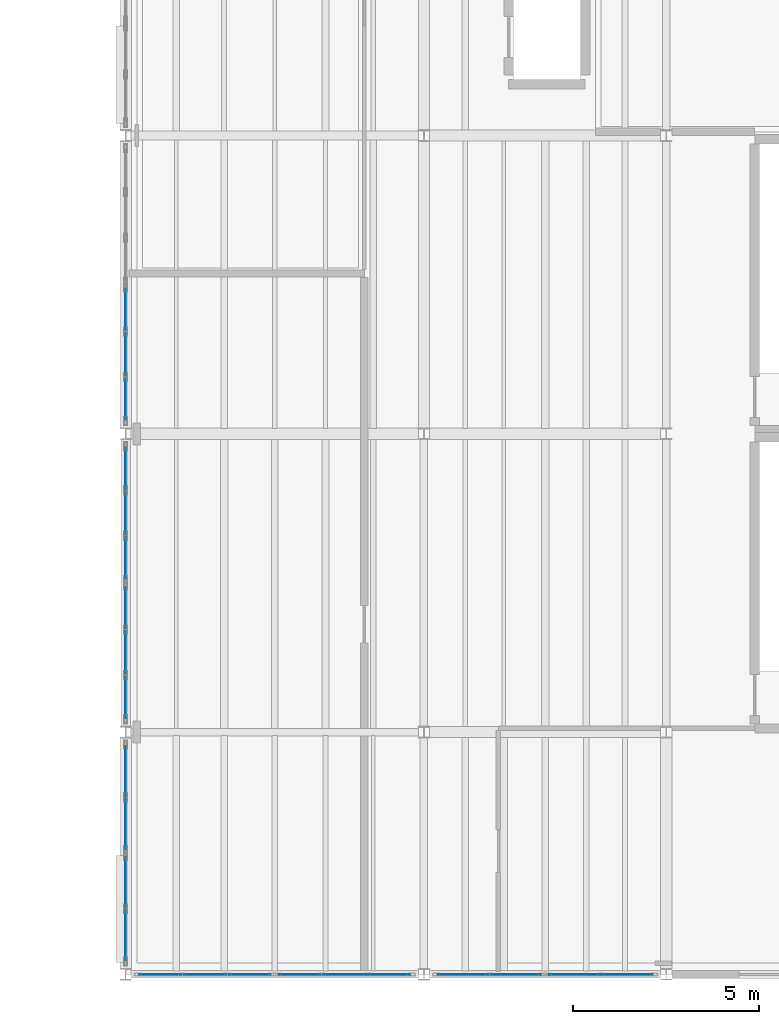
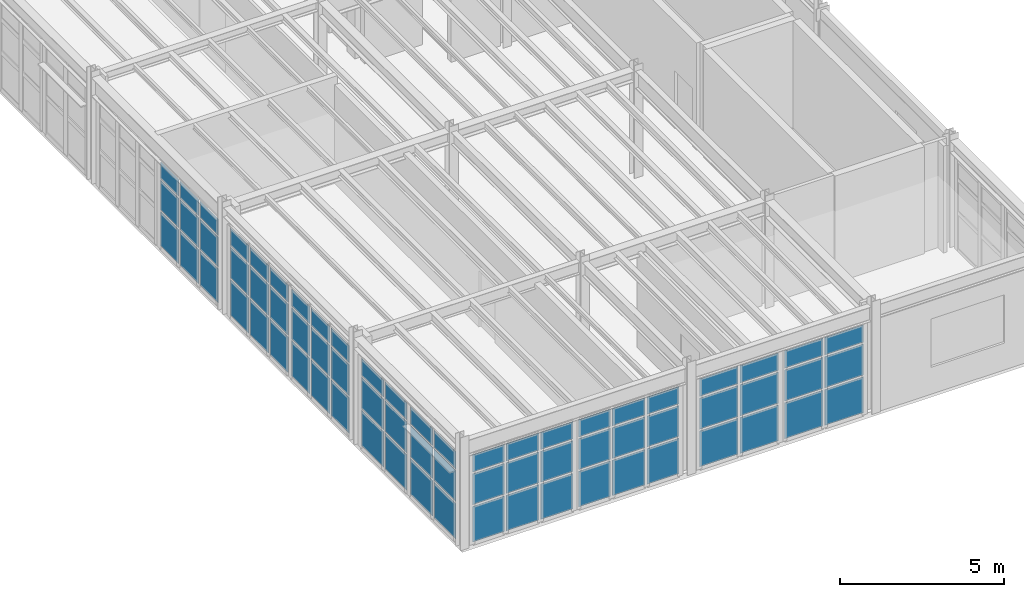
# One storey, part 19 of 27: 69 plates, 9 elements without a shape of their own.
"""IFC4 building model written with IfcOpenShell, lengths in metres."""

from ifc_helpers import new_model, si_unit, direction, frame, origin, origin_2d, place, context, subcontext, project, spatial, rectangle, extrude, material, layer, layer_set, type_object, element, aggregate, save


model = new_model("IFC4")

# Units and contexts
model_context = context("Model", 3, precision=1e-05, world=origin(), true_north=direction((0.0, 1.0)))
body_context = subcontext(model_context, "Body", "Model", "MODEL_VIEW")
ifc_project = project(units=[si_unit("LENGTHUNIT", "METRE"), si_unit("AREAUNIT", "SQUARE_METRE"), si_unit("VOLUMEUNIT", "CUBIC_METRE"), si_unit("PLANEANGLEUNIT", "RADIAN"), si_unit("MASSUNIT", "GRAM", prefix="KILO"), si_unit("THERMODYNAMICTEMPERATUREUNIT", "KELVIN"), si_unit("POWERUNIT", "WATT")], contexts=[model_context])

# Site, building, storey
site_placement = place(None, origin())
site = spatial("IfcSite", under=ifc_project, at=site_placement, CompositionType="ELEMENT")
building_placement = place(site_placement, origin())
building = spatial("IfcBuilding", under=site, at=building_placement, Name="Zhenchuan Central Fire Station", CompositionType="ELEMENT")
storey_placement = place(building_placement, frame((0.0, 0.0, 14.25)))
storey = spatial("IfcBuildingStorey", under=building, at=storey_placement, Name="L04", CompositionType="ELEMENT", Elevation=14.25)

# Curtain wall, plates
ifc_material_1 = material(Name="Anodised aluminium and low-E glazing", Category="aluminium")
curtain_wall_type_1 = type_object("IfcCurtainWallType", Name="CW-MOD-07", PredefinedType="USERDEFINED", material=ifc_material_1)
curtain_wall_1_placement = place(storey_placement, origin())
curtain_wall_1 = element("IfcCurtainWall", 1, at=curtain_wall_1_placement, inside=storey, type_object=curtain_wall_type_1, Name="L04 Unitised Curtain Wall 122", ObjectType="UNITISED GLAZING", PredefinedType="USERDEFINED")
ifc_material_2 = material(Name="Laminated low-E double glazing", Category="glass")
ifc_layer = layer(ifc_material_2, 0.011962890625, Name="Laminated low-E double glazing", Category="glass")
ifc_layer_set = layer_set([ifc_layer], Name="Laminated low-E double glazing")
plate_type = type_object("IfcPlateType", Name="CW-PNL12", PredefinedType="CURTAIN_PANEL", material=ifc_layer_set)
plate_1_placement = place(storey_placement, frame((140.926513671875, 0.0, 0.06103515625), z_axis=(0.0, 0.0, 1.0), x_axis=(1.0, 0.0, 0.0)))
plate_1 = element("IfcPlate", 2, at=plate_1_placement, type_object=plate_type, Name="CW-07 panel 1.1", PredefinedType="CURTAIN_PANEL", context=body_context, shape_type="SweptSolid", body=[
    extrude(rectangle(XDim=1.123046875, YDim=0.011962890625, at=origin_2d()), origin(), (0.0, 0.0, 1.0), 1.323486328125),
])
plate_2_placement = place(storey_placement, frame((140.926513671875, 0.0, 1.44970703125), z_axis=(0.0, 0.0, 1.0), x_axis=(1.0, 0.0, 0.0)))
plate_2 = element("IfcPlate", 3, at=plate_2_placement, type_object=plate_type, Name="CW-07 panel 1.2", PredefinedType="CURTAIN_PANEL", context=body_context, shape_type="SweptSolid", body=[
    extrude(rectangle(XDim=1.123046875, YDim=0.011962890625, at=origin_2d()), origin(), (0.0, 0.0, 1.0), 1.149658203125),
])
plate_3_placement = place(storey_placement, frame((140.926513671875, 0.0, 2.6640625), z_axis=(0.0, 0.0, 1.0), x_axis=(1.0, 0.0, 0.0)))
plate_3 = element("IfcPlate", 4, at=plate_3_placement, type_object=plate_type, Name="CW-07 panel 1.3", PredefinedType="CURTAIN_PANEL", context=body_context, shape_type="SweptSolid", body=[
    extrude(rectangle(XDim=1.123046875, YDim=0.011962890625, at=origin_2d()), origin(), (0.0, 0.0, 1.0), 0.644775390625),
])
plate_4_placement = place(storey_placement, frame((142.131103515625, 0.0, 0.06103515625), z_axis=(0.0, 0.0, 1.0), x_axis=(1.0, 0.0, 0.0)))
plate_4 = element("IfcPlate", 5, at=plate_4_placement, type_object=plate_type, Name="CW-07 panel 2.1", PredefinedType="CURTAIN_PANEL", context=body_context, shape_type="SweptSolid", body=[
    extrude(rectangle(XDim=1.15576171875, YDim=0.011962890625, at=origin_2d()), origin(), (0.0, 0.0, 1.0), 1.323486328125),
])
plate_5_placement = place(storey_placement, frame((142.131103515625, 0.0, 1.44970703125), z_axis=(0.0, 0.0, 1.0), x_axis=(1.0, 0.0, 0.0)))
plate_5 = element("IfcPlate", 6, at=plate_5_placement, type_object=plate_type, Name="CW-07 panel 2.2", PredefinedType="CURTAIN_PANEL", context=body_context, shape_type="SweptSolid", body=[
    extrude(rectangle(XDim=1.15576171875, YDim=0.011962890625, at=origin_2d()), origin(), (0.0, 0.0, 1.0), 1.149658203125),
])
plate_6_placement = place(storey_placement, frame((142.131103515625, 0.0, 2.6640625), z_axis=(0.0, 0.0, 1.0), x_axis=(1.0, 0.0, 0.0)))
plate_6 = element("IfcPlate", 7, at=plate_6_placement, type_object=plate_type, Name="CW-07 panel 2.3", PredefinedType="CURTAIN_PANEL", context=body_context, shape_type="SweptSolid", body=[
    extrude(rectangle(XDim=1.15576171875, YDim=0.011962890625, at=origin_2d()), origin(), (0.0, 0.0, 1.0), 0.644775390625),
])
plate_7_placement = place(storey_placement, frame((143.33544921875, 0.0, 0.06103515625), z_axis=(0.0, 0.0, 1.0), x_axis=(1.0, 0.0, 0.0)))
plate_7 = element("IfcPlate", 8, at=plate_7_placement, type_object=plate_type, Name="CW-07 panel 3.1", PredefinedType="CURTAIN_PANEL", context=body_context, shape_type="SweptSolid", body=[
    extrude(rectangle(XDim=1.123046875, YDim=0.011962890625, at=origin_2d()), origin(), (0.0, 0.0, 1.0), 1.323486328125),
])
plate_8_placement = place(storey_placement, frame((143.33544921875, 0.0, 1.44970703125), z_axis=(0.0, 0.0, 1.0), x_axis=(1.0, 0.0, 0.0)))
plate_8 = element("IfcPlate", 9, at=plate_8_placement, type_object=plate_type, Name="CW-07 panel 3.2", PredefinedType="CURTAIN_PANEL", context=body_context, shape_type="SweptSolid", body=[
    extrude(rectangle(XDim=1.123046875, YDim=0.011962890625, at=origin_2d()), origin(), (0.0, 0.0, 1.0), 1.149658203125),
])
plate_9_placement = place(storey_placement, frame((143.33544921875, 0.0, 2.6640625), z_axis=(0.0, 0.0, 1.0), x_axis=(1.0, 0.0, 0.0)))
plate_9 = element("IfcPlate", 10, at=plate_9_placement, type_object=plate_type, Name="CW-07 panel 3.3", PredefinedType="CURTAIN_PANEL", context=body_context, shape_type="SweptSolid", body=[
    extrude(rectangle(XDim=1.123046875, YDim=0.011962890625, at=origin_2d()), origin(), (0.0, 0.0, 1.0), 0.644775390625),
])
aggregate(curtain_wall_1, [plate_1, plate_2, plate_3, plate_4, plate_5, plate_6, plate_7, plate_8, plate_9])

curtain_wall_type_2 = type_object("IfcCurtainWallType", Name="CW-MOD-08", PredefinedType="USERDEFINED", material=ifc_material_1)
curtain_wall_2_placement = place(storey_placement, origin())
curtain_wall_2 = element("IfcCurtainWall", 11, at=curtain_wall_2_placement, inside=storey, type_object=curtain_wall_type_2, Name="L04 Unitised Curtain Wall 123", ObjectType="UNITISED GLAZING", PredefinedType="USERDEFINED")
plate_10_placement = place(storey_placement, frame((144.66455078125, 0.0, 0.06103515625), z_axis=(0.0, 0.0, 1.0), x_axis=(1.0, 0.0, 0.0)))
plate_10 = element("IfcPlate", 12, at=plate_10_placement, type_object=plate_type, Name="CW-08 panel 1.1", PredefinedType="CURTAIN_PANEL", context=body_context, shape_type="SweptSolid", body=[
    extrude(rectangle(XDim=1.123046875, YDim=0.011962890625, at=origin_2d()), origin(), (0.0, 0.0, 1.0), 1.323486328125),
])
plate_11_placement = place(storey_placement, frame((144.66455078125, 0.0, 1.44970703125), z_axis=(0.0, 0.0, 1.0), x_axis=(1.0, 0.0, 0.0)))
plate_11 = element("IfcPlate", 13, at=plate_11_placement, type_object=plate_type, Name="CW-08 panel 1.2", PredefinedType="CURTAIN_PANEL", context=body_context, shape_type="SweptSolid", body=[
    extrude(rectangle(XDim=1.123046875, YDim=0.011962890625, at=origin_2d()), origin(), (0.0, 0.0, 1.0), 1.149658203125),
])
plate_12_placement = place(storey_placement, frame((144.66455078125, 0.0, 2.6640625), z_axis=(0.0, 0.0, 1.0), x_axis=(1.0, 0.0, 0.0)))
plate_12 = element("IfcPlate", 14, at=plate_12_placement, type_object=plate_type, Name="CW-08 panel 1.3", PredefinedType="CURTAIN_PANEL", context=body_context, shape_type="SweptSolid", body=[
    extrude(rectangle(XDim=1.123046875, YDim=0.011962890625, at=origin_2d()), origin(), (0.0, 0.0, 1.0), 0.644775390625),
])
plate_13_placement = place(storey_placement, frame((145.868896484375, 0.0, 0.06103515625), z_axis=(0.0, 0.0, 1.0), x_axis=(1.0, 0.0, 0.0)))
plate_13 = element("IfcPlate", 15, at=plate_13_placement, type_object=plate_type, Name="CW-08 panel 2.1", PredefinedType="CURTAIN_PANEL", context=body_context, shape_type="SweptSolid", body=[
    extrude(rectangle(XDim=1.15576171875, YDim=0.011962890625, at=origin_2d()), origin(), (0.0, 0.0, 1.0), 1.323486328125),
])
plate_14_placement = place(storey_placement, frame((145.868896484375, 0.0, 1.44970703125), z_axis=(0.0, 0.0, 1.0), x_axis=(1.0, 0.0, 0.0)))
plate_14 = element("IfcPlate", 16, at=plate_14_placement, type_object=plate_type, Name="CW-08 panel 2.2", PredefinedType="CURTAIN_PANEL", context=body_context, shape_type="SweptSolid", body=[
    extrude(rectangle(XDim=1.15576171875, YDim=0.011962890625, at=origin_2d()), origin(), (0.0, 0.0, 1.0), 1.149658203125),
])
plate_15_placement = place(storey_placement, frame((145.868896484375, 0.0, 2.6640625), z_axis=(0.0, 0.0, 1.0), x_axis=(1.0, 0.0, 0.0)))
plate_15 = element("IfcPlate", 17, at=plate_15_placement, type_object=plate_type, Name="CW-08 panel 2.3", PredefinedType="CURTAIN_PANEL", context=body_context, shape_type="SweptSolid", body=[
    extrude(rectangle(XDim=1.15576171875, YDim=0.011962890625, at=origin_2d()), origin(), (0.0, 0.0, 1.0), 0.644775390625),
])
plate_16_placement = place(storey_placement, frame((147.073486328125, 0.0, 0.06103515625), z_axis=(0.0, 0.0, 1.0), x_axis=(1.0, 0.0, 0.0)))
plate_16 = element("IfcPlate", 18, at=plate_16_placement, type_object=plate_type, Name="CW-08 panel 3.1", PredefinedType="CURTAIN_PANEL", context=body_context, shape_type="SweptSolid", body=[
    extrude(rectangle(XDim=1.123046875, YDim=0.011962890625, at=origin_2d()), origin(), (0.0, 0.0, 1.0), 1.323486328125),
])
plate_17_placement = place(storey_placement, frame((147.073486328125, 0.0, 1.44970703125), z_axis=(0.0, 0.0, 1.0), x_axis=(1.0, 0.0, 0.0)))
plate_17 = element("IfcPlate", 19, at=plate_17_placement, type_object=plate_type, Name="CW-08 panel 3.2", PredefinedType="CURTAIN_PANEL", context=body_context, shape_type="SweptSolid", body=[
    extrude(rectangle(XDim=1.123046875, YDim=0.011962890625, at=origin_2d()), origin(), (0.0, 0.0, 1.0), 1.149658203125),
])
plate_18_placement = place(storey_placement, frame((147.073486328125, 0.0, 2.6640625), z_axis=(0.0, 0.0, 1.0), x_axis=(1.0, 0.0, 0.0)))
plate_18 = element("IfcPlate", 20, at=plate_18_placement, type_object=plate_type, Name="CW-08 panel 3.3", PredefinedType="CURTAIN_PANEL", context=body_context, shape_type="SweptSolid", body=[
    extrude(rectangle(XDim=1.123046875, YDim=0.011962890625, at=origin_2d()), origin(), (0.0, 0.0, 1.0), 0.644775390625),
])
aggregate(curtain_wall_2, [plate_10, plate_11, plate_12, plate_13, plate_14, plate_15, plate_16, plate_17, plate_18])

curtain_wall_3_placement = place(storey_placement, origin())
curtain_wall_3 = element("IfcCurtainWall", 21, at=curtain_wall_3_placement, inside=storey, type_object=curtain_wall_type_2, Name="L04 Unitised Curtain Wall 124", ObjectType="UNITISED GLAZING", PredefinedType="USERDEFINED")
plate_19_placement = place(storey_placement, frame((149.044189453125, 0.0, 0.06103515625), z_axis=(0.0, 0.0, 1.0), x_axis=(1.0, 0.0, 0.0)))
plate_19 = element("IfcPlate", 22, at=plate_19_placement, type_object=plate_type, Name="CW-08 panel 1.1", PredefinedType="CURTAIN_PANEL", context=body_context, shape_type="SweptSolid", body=[
    extrude(rectangle(XDim=1.3583984375, YDim=0.011962890625, at=origin_2d()), origin(), (0.0, 0.0, 1.0), 1.33447265625),
])
plate_20_placement = place(storey_placement, frame((149.044189453125, 0.0, 1.46044921875), z_axis=(0.0, 0.0, 1.0), x_axis=(1.0, 0.0, 0.0)))
plate_20 = element("IfcPlate", 23, at=plate_20_placement, type_object=plate_type, Name="CW-08 panel 1.2", PredefinedType="CURTAIN_PANEL", context=body_context, shape_type="SweptSolid", body=[
    extrude(rectangle(XDim=1.3583984375, YDim=0.011962890625, at=origin_2d()), origin(), (0.0, 0.0, 1.0), 1.158935546875),
])
plate_21_placement = place(storey_placement, frame((149.044189453125, 0.0, 2.6845703125), z_axis=(0.0, 0.0, 1.0), x_axis=(1.0, 0.0, 0.0)))
plate_21 = element("IfcPlate", 24, at=plate_21_placement, type_object=plate_type, Name="CW-08 panel 1.3", PredefinedType="CURTAIN_PANEL", context=body_context, shape_type="SweptSolid", body=[
    extrude(rectangle(XDim=1.3583984375, YDim=0.011962890625, at=origin_2d()), origin(), (0.0, 0.0, 1.0), 0.650390625),
])
plate_22_placement = place(storey_placement, frame((150.4677734375, 0.0, 0.06103515625), z_axis=(0.0, 0.0, 1.0), x_axis=(1.0, 0.0, 0.0)))
plate_22 = element("IfcPlate", 25, at=plate_22_placement, type_object=plate_type, Name="CW-08 panel 2.1", PredefinedType="CURTAIN_PANEL", context=body_context, shape_type="SweptSolid", body=[
    extrude(rectangle(XDim=1.3583984375, YDim=0.011962890625, at=origin_2d()), origin(), (0.0, 0.0, 1.0), 1.33447265625),
])
plate_23_placement = place(storey_placement, frame((150.4677734375, 0.0, 1.46044921875), z_axis=(0.0, 0.0, 1.0), x_axis=(1.0, 0.0, 0.0)))
plate_23 = element("IfcPlate", 26, at=plate_23_placement, type_object=plate_type, Name="CW-08 panel 2.2", PredefinedType="CURTAIN_PANEL", context=body_context, shape_type="SweptSolid", body=[
    extrude(rectangle(XDim=1.3583984375, YDim=0.011962890625, at=origin_2d()), origin(), (0.0, 0.0, 1.0), 1.158935546875),
])
plate_24_placement = place(storey_placement, frame((150.4677734375, 0.0, 2.6845703125), z_axis=(0.0, 0.0, 1.0), x_axis=(1.0, 0.0, 0.0)))
plate_24 = element("IfcPlate", 27, at=plate_24_placement, type_object=plate_type, Name="CW-08 panel 2.3", PredefinedType="CURTAIN_PANEL", context=body_context, shape_type="SweptSolid", body=[
    extrude(rectangle(XDim=1.3583984375, YDim=0.011962890625, at=origin_2d()), origin(), (0.0, 0.0, 1.0), 0.650390625),
])
aggregate(curtain_wall_3, [plate_19, plate_20, plate_21, plate_22, plate_23, plate_24])

curtain_wall_type_3 = type_object("IfcCurtainWallType", Name="CW-MOD-09", PredefinedType="USERDEFINED", material=ifc_material_1)
curtain_wall_4_placement = place(storey_placement, origin())
curtain_wall_4 = element("IfcCurtainWall", 28, at=curtain_wall_4_placement, inside=storey, type_object=curtain_wall_type_3, Name="L04 Unitised Curtain Wall 125", ObjectType="UNITISED GLAZING", PredefinedType="USERDEFINED")
plate_25_placement = place(storey_placement, frame((152.0322265625, 0.0, 0.06103515625), z_axis=(0.0, 0.0, 1.0), x_axis=(1.0, 0.0, 0.0)))
plate_25 = element("IfcPlate", 29, at=plate_25_placement, type_object=plate_type, Name="CW-09 panel 1.1", PredefinedType="CURTAIN_PANEL", context=body_context, shape_type="SweptSolid", body=[
    extrude(rectangle(XDim=1.3583984375, YDim=0.011962890625, at=origin_2d()), origin(), (0.0, 0.0, 1.0), 1.33447265625),
])
plate_26_placement = place(storey_placement, frame((152.0322265625, 0.0, 1.46044921875), z_axis=(0.0, 0.0, 1.0), x_axis=(1.0, 0.0, 0.0)))
plate_26 = element("IfcPlate", 30, at=plate_26_placement, type_object=plate_type, Name="CW-09 panel 1.2", PredefinedType="CURTAIN_PANEL", context=body_context, shape_type="SweptSolid", body=[
    extrude(rectangle(XDim=1.3583984375, YDim=0.011962890625, at=origin_2d()), origin(), (0.0, 0.0, 1.0), 1.158935546875),
])
plate_27_placement = place(storey_placement, frame((152.0322265625, 0.0, 2.6845703125), z_axis=(0.0, 0.0, 1.0), x_axis=(1.0, 0.0, 0.0)))
plate_27 = element("IfcPlate", 31, at=plate_27_placement, type_object=plate_type, Name="CW-09 panel 1.3", PredefinedType="CURTAIN_PANEL", context=body_context, shape_type="SweptSolid", body=[
    extrude(rectangle(XDim=1.3583984375, YDim=0.011962890625, at=origin_2d()), origin(), (0.0, 0.0, 1.0), 0.650390625),
])
plate_28_placement = place(storey_placement, frame((153.455810546875, 0.0, 0.06103515625), z_axis=(0.0, 0.0, 1.0), x_axis=(1.0, 0.0, 0.0)))
plate_28 = element("IfcPlate", 32, at=plate_28_placement, type_object=plate_type, Name="CW-09 panel 2.1", PredefinedType="CURTAIN_PANEL", context=body_context, shape_type="SweptSolid", body=[
    extrude(rectangle(XDim=1.3583984375, YDim=0.011962890625, at=origin_2d()), origin(), (0.0, 0.0, 1.0), 1.33447265625),
])
plate_29_placement = place(storey_placement, frame((153.455810546875, 0.0, 1.46044921875), z_axis=(0.0, 0.0, 1.0), x_axis=(1.0, 0.0, 0.0)))
plate_29 = element("IfcPlate", 33, at=plate_29_placement, type_object=plate_type, Name="CW-09 panel 2.2", PredefinedType="CURTAIN_PANEL", context=body_context, shape_type="SweptSolid", body=[
    extrude(rectangle(XDim=1.3583984375, YDim=0.011962890625, at=origin_2d()), origin(), (0.0, 0.0, 1.0), 1.158935546875),
])
plate_30_placement = place(storey_placement, frame((153.455810546875, 0.0, 2.6845703125), z_axis=(0.0, 0.0, 1.0), x_axis=(1.0, 0.0, 0.0)))
plate_30 = element("IfcPlate", 34, at=plate_30_placement, type_object=plate_type, Name="CW-09 panel 2.3", PredefinedType="CURTAIN_PANEL", context=body_context, shape_type="SweptSolid", body=[
    extrude(rectangle(XDim=1.3583984375, YDim=0.011962890625, at=origin_2d()), origin(), (0.0, 0.0, 1.0), 0.650390625),
])
aggregate(curtain_wall_4, [plate_25, plate_26, plate_27, plate_28, plate_29, plate_30])

curtain_wall_type_4 = type_object("IfcCurtainWallType", Name="CW-MOD-12", PredefinedType="USERDEFINED", material=ifc_material_1)
curtain_wall_5_placement = place(storey_placement, origin())
curtain_wall_5 = element("IfcCurtainWall", 35, at=curtain_wall_5_placement, inside=storey, type_object=curtain_wall_type_4, Name="L04 Unitised Curtain Wall 132", ObjectType="UNITISED GLAZING", PredefinedType="USERDEFINED")
plate_31_placement = place(storey_placement, frame((140.0, 1.046630859375, 0.07080078125), z_axis=(0.0, 0.0, 1.0), x_axis=(0.0, 1.0, 0.0)))
plate_31 = element("IfcPlate", 36, at=plate_31_placement, type_object=plate_type, Name="CW-12 panel 1.1", PredefinedType="CURTAIN_PANEL", context=body_context, shape_type="SweptSolid", body=[
    extrude(rectangle(XDim=1.343505859375, YDim=0.011962890625, at=origin_2d()), origin(), (0.0, 0.0, 1.0), 1.319580078125),
])
plate_32_placement = place(storey_placement, frame((140.0, 1.046630859375, 1.465576171875), z_axis=(0.0, 0.0, 1.0), x_axis=(0.0, 1.0, 0.0)))
plate_32 = element("IfcPlate", 37, at=plate_32_placement, type_object=plate_type, Name="CW-12 panel 1.2", PredefinedType="CURTAIN_PANEL", context=body_context, shape_type="SweptSolid", body=[
    extrude(rectangle(XDim=1.343505859375, YDim=0.011962890625, at=origin_2d()), origin(), (0.0, 0.0, 1.0), 1.14892578125),
])
plate_33_placement = place(storey_placement, frame((140.0, 1.046630859375, 2.689453125), z_axis=(0.0, 0.0, 1.0), x_axis=(0.0, 1.0, 0.0)))
plate_33 = element("IfcPlate", 38, at=plate_33_placement, type_object=plate_type, Name="CW-12 panel 1.3", PredefinedType="CURTAIN_PANEL", context=body_context, shape_type="SweptSolid", body=[
    extrude(rectangle(XDim=1.343505859375, YDim=0.011962890625, at=origin_2d()), origin(), (0.0, 0.0, 1.0), 0.635498046875),
])
plate_34_placement = place(storey_placement, frame((140.0, 2.46533203125, 0.07080078125), z_axis=(0.0, 0.0, 1.0), x_axis=(0.0, 1.0, 0.0)))
plate_34 = element("IfcPlate", 39, at=plate_34_placement, type_object=plate_type, Name="CW-12 panel 2.1", PredefinedType="CURTAIN_PANEL", context=body_context, shape_type="SweptSolid", body=[
    extrude(rectangle(XDim=1.343505859375, YDim=0.011962890625, at=origin_2d()), origin(), (0.0, 0.0, 1.0), 1.319580078125),
])
plate_35_placement = place(storey_placement, frame((140.0, 2.46533203125, 1.465576171875), z_axis=(0.0, 0.0, 1.0), x_axis=(0.0, 1.0, 0.0)))
plate_35 = element("IfcPlate", 40, at=plate_35_placement, type_object=plate_type, Name="CW-12 panel 2.2", PredefinedType="CURTAIN_PANEL", context=body_context, shape_type="SweptSolid", body=[
    extrude(rectangle(XDim=1.343505859375, YDim=0.011962890625, at=origin_2d()), origin(), (0.0, 0.0, 1.0), 1.14892578125),
])
plate_36_placement = place(storey_placement, frame((140.0, 2.46533203125, 2.689453125), z_axis=(0.0, 0.0, 1.0), x_axis=(0.0, 1.0, 0.0)))
plate_36 = element("IfcPlate", 41, at=plate_36_placement, type_object=plate_type, Name="CW-12 panel 2.3", PredefinedType="CURTAIN_PANEL", context=body_context, shape_type="SweptSolid", body=[
    extrude(rectangle(XDim=1.343505859375, YDim=0.011962890625, at=origin_2d()), origin(), (0.0, 0.0, 1.0), 0.635498046875),
])
aggregate(curtain_wall_5, [plate_31, plate_32, plate_33, plate_34, plate_35, plate_36])

curtain_wall_type_5 = type_object("IfcCurtainWallType", Name="CW-MOD-13", PredefinedType="USERDEFINED", material=ifc_material_1)
curtain_wall_6_placement = place(storey_placement, origin())
curtain_wall_6 = element("IfcCurtainWall", 42, at=curtain_wall_6_placement, inside=storey, type_object=curtain_wall_type_5, Name="L04 Unitised Curtain Wall 133", ObjectType="UNITISED GLAZING", PredefinedType="USERDEFINED")
plate_37_placement = place(storey_placement, frame((140.0, 4.03466796875, 0.07080078125), z_axis=(0.0, 0.0, 1.0), x_axis=(0.0, 1.0, 0.0)))
plate_37 = element("IfcPlate", 43, at=plate_37_placement, type_object=plate_type, Name="CW-13 panel 1.1", PredefinedType="CURTAIN_PANEL", context=body_context, shape_type="SweptSolid", body=[
    extrude(rectangle(XDim=1.343505859375, YDim=0.011962890625, at=origin_2d()), origin(), (0.0, 0.0, 1.0), 1.319580078125),
])
plate_38_placement = place(storey_placement, frame((140.0, 4.03466796875, 1.465576171875), z_axis=(0.0, 0.0, 1.0), x_axis=(0.0, 1.0, 0.0)))
plate_38 = element("IfcPlate", 44, at=plate_38_placement, type_object=plate_type, Name="CW-13 panel 1.2", PredefinedType="CURTAIN_PANEL", context=body_context, shape_type="SweptSolid", body=[
    extrude(rectangle(XDim=1.343505859375, YDim=0.011962890625, at=origin_2d()), origin(), (0.0, 0.0, 1.0), 1.14892578125),
])
plate_39_placement = place(storey_placement, frame((140.0, 4.03466796875, 2.689453125), z_axis=(0.0, 0.0, 1.0), x_axis=(0.0, 1.0, 0.0)))
plate_39 = element("IfcPlate", 45, at=plate_39_placement, type_object=plate_type, Name="CW-13 panel 1.3", PredefinedType="CURTAIN_PANEL", context=body_context, shape_type="SweptSolid", body=[
    extrude(rectangle(XDim=1.343505859375, YDim=0.011962890625, at=origin_2d()), origin(), (0.0, 0.0, 1.0), 0.635498046875),
])
plate_40_placement = place(storey_placement, frame((140.0, 5.453369140625, 0.07080078125), z_axis=(0.0, 0.0, 1.0), x_axis=(0.0, 1.0, 0.0)))
plate_40 = element("IfcPlate", 46, at=plate_40_placement, type_object=plate_type, Name="CW-13 panel 2.1", PredefinedType="CURTAIN_PANEL", context=body_context, shape_type="SweptSolid", body=[
    extrude(rectangle(XDim=1.343505859375, YDim=0.011962890625, at=origin_2d()), origin(), (0.0, 0.0, 1.0), 1.319580078125),
])
plate_41_placement = place(storey_placement, frame((140.0, 5.453369140625, 1.465576171875), z_axis=(0.0, 0.0, 1.0), x_axis=(0.0, 1.0, 0.0)))
plate_41 = element("IfcPlate", 47, at=plate_41_placement, type_object=plate_type, Name="CW-13 panel 2.2", PredefinedType="CURTAIN_PANEL", context=body_context, shape_type="SweptSolid", body=[
    extrude(rectangle(XDim=1.343505859375, YDim=0.011962890625, at=origin_2d()), origin(), (0.0, 0.0, 1.0), 1.14892578125),
])
plate_42_placement = place(storey_placement, frame((140.0, 5.453369140625, 2.689453125), z_axis=(0.0, 0.0, 1.0), x_axis=(0.0, 1.0, 0.0)))
plate_42 = element("IfcPlate", 48, at=plate_42_placement, type_object=plate_type, Name="CW-13 panel 2.3", PredefinedType="CURTAIN_PANEL", context=body_context, shape_type="SweptSolid", body=[
    extrude(rectangle(XDim=1.343505859375, YDim=0.011962890625, at=origin_2d()), origin(), (0.0, 0.0, 1.0), 0.635498046875),
])
aggregate(curtain_wall_6, [plate_37, plate_38, plate_39, plate_40, plate_41, plate_42])

curtain_wall_7_placement = place(storey_placement, origin())
curtain_wall_7 = element("IfcCurtainWall", 49, at=curtain_wall_7_placement, inside=storey, type_object=curtain_wall_type_5, Name="L04 Unitised Curtain Wall 134", ObjectType="UNITISED GLAZING", PredefinedType="USERDEFINED")
plate_43_placement = place(storey_placement, frame((140.0, 7.42919921875, 0.07080078125), z_axis=(0.0, 0.0, 1.0), x_axis=(0.0, 1.0, 0.0)))
plate_43 = element("IfcPlate", 50, at=plate_43_placement, type_object=plate_type, Name="CW-13 panel 1.1", PredefinedType="CURTAIN_PANEL", context=body_context, shape_type="SweptSolid", body=[
    extrude(rectangle(XDim=1.108154296875, YDim=0.011962890625, at=origin_2d()), origin(), (0.0, 0.0, 1.0), 1.319580078125),
])
plate_44_placement = place(storey_placement, frame((140.0, 7.42919921875, 1.465576171875), z_axis=(0.0, 0.0, 1.0), x_axis=(0.0, 1.0, 0.0)))
plate_44 = element("IfcPlate", 51, at=plate_44_placement, type_object=plate_type, Name="CW-13 panel 1.2", PredefinedType="CURTAIN_PANEL", context=body_context, shape_type="SweptSolid", body=[
    extrude(rectangle(XDim=1.108154296875, YDim=0.011962890625, at=origin_2d()), origin(), (0.0, 0.0, 1.0), 1.14892578125),
])
plate_45_placement = place(storey_placement, frame((140.0, 7.42919921875, 2.689453125), z_axis=(0.0, 0.0, 1.0), x_axis=(0.0, 1.0, 0.0)))
plate_45 = element("IfcPlate", 52, at=plate_45_placement, type_object=plate_type, Name="CW-13 panel 1.3", PredefinedType="CURTAIN_PANEL", context=body_context, shape_type="SweptSolid", body=[
    extrude(rectangle(XDim=1.108154296875, YDim=0.011962890625, at=origin_2d()), origin(), (0.0, 0.0, 1.0), 0.635498046875),
])
plate_46_placement = place(storey_placement, frame((140.0, 8.631103515625, 0.07080078125), z_axis=(0.0, 0.0, 1.0), x_axis=(0.0, 1.0, 0.0)))
plate_46 = element("IfcPlate", 53, at=plate_46_placement, type_object=plate_type, Name="CW-13 panel 2.1", PredefinedType="CURTAIN_PANEL", context=body_context, shape_type="SweptSolid", body=[
    extrude(rectangle(XDim=1.145751953125, YDim=0.011962890625, at=origin_2d()), origin(), (0.0, 0.0, 1.0), 1.319580078125),
])
plate_47_placement = place(storey_placement, frame((140.0, 8.631103515625, 1.465576171875), z_axis=(0.0, 0.0, 1.0), x_axis=(0.0, 1.0, 0.0)))
plate_47 = element("IfcPlate", 54, at=plate_47_placement, type_object=plate_type, Name="CW-13 panel 2.2", PredefinedType="CURTAIN_PANEL", context=body_context, shape_type="SweptSolid", body=[
    extrude(rectangle(XDim=1.145751953125, YDim=0.011962890625, at=origin_2d()), origin(), (0.0, 0.0, 1.0), 1.14892578125),
])
plate_48_placement = place(storey_placement, frame((140.0, 8.631103515625, 2.689453125), z_axis=(0.0, 0.0, 1.0), x_axis=(0.0, 1.0, 0.0)))
plate_48 = element("IfcPlate", 55, at=plate_48_placement, type_object=plate_type, Name="CW-13 panel 2.3", PredefinedType="CURTAIN_PANEL", context=body_context, shape_type="SweptSolid", body=[
    extrude(rectangle(XDim=1.145751953125, YDim=0.011962890625, at=origin_2d()), origin(), (0.0, 0.0, 1.0), 0.635498046875),
])
plate_49_placement = place(storey_placement, frame((140.0, 9.8330078125, 0.07080078125), z_axis=(0.0, 0.0, 1.0), x_axis=(0.0, 1.0, 0.0)))
plate_49 = element("IfcPlate", 56, at=plate_49_placement, type_object=plate_type, Name="CW-13 panel 3.1", PredefinedType="CURTAIN_PANEL", context=body_context, shape_type="SweptSolid", body=[
    extrude(rectangle(XDim=1.108154296875, YDim=0.011962890625, at=origin_2d()), origin(), (0.0, 0.0, 1.0), 1.319580078125),
])
plate_50_placement = place(storey_placement, frame((140.0, 9.8330078125, 1.465576171875), z_axis=(0.0, 0.0, 1.0), x_axis=(0.0, 1.0, 0.0)))
plate_50 = element("IfcPlate", 57, at=plate_50_placement, type_object=plate_type, Name="CW-13 panel 3.2", PredefinedType="CURTAIN_PANEL", context=body_context, shape_type="SweptSolid", body=[
    extrude(rectangle(XDim=1.108154296875, YDim=0.011962890625, at=origin_2d()), origin(), (0.0, 0.0, 1.0), 1.14892578125),
])
plate_51_placement = place(storey_placement, frame((140.0, 9.8330078125, 2.689453125), z_axis=(0.0, 0.0, 1.0), x_axis=(0.0, 1.0, 0.0)))
plate_51 = element("IfcPlate", 58, at=plate_51_placement, type_object=plate_type, Name="CW-13 panel 3.3", PredefinedType="CURTAIN_PANEL", context=body_context, shape_type="SweptSolid", body=[
    extrude(rectangle(XDim=1.108154296875, YDim=0.011962890625, at=origin_2d()), origin(), (0.0, 0.0, 1.0), 0.635498046875),
])
aggregate(curtain_wall_7, [plate_43, plate_44, plate_45, plate_46, plate_47, plate_48, plate_49, plate_50, plate_51])

curtain_wall_type_6 = type_object("IfcCurtainWallType", Name="CW-MOD-14", PredefinedType="USERDEFINED", material=ifc_material_1)
curtain_wall_8_placement = place(storey_placement, origin())
curtain_wall_8 = element("IfcCurtainWall", 59, at=curtain_wall_8_placement, inside=storey, type_object=curtain_wall_type_6, Name="L04 Unitised Curtain Wall 135", ObjectType="UNITISED GLAZING", PredefinedType="USERDEFINED")
plate_52_placement = place(storey_placement, frame((140.0, 11.1669921875, 0.07080078125), z_axis=(0.0, 0.0, 1.0), x_axis=(0.0, 1.0, 0.0)))
plate_52 = element("IfcPlate", 60, at=plate_52_placement, type_object=plate_type, Name="CW-14 panel 1.1", PredefinedType="CURTAIN_PANEL", context=body_context, shape_type="SweptSolid", body=[
    extrude(rectangle(XDim=1.108154296875, YDim=0.011962890625, at=origin_2d()), origin(), (0.0, 0.0, 1.0), 1.319580078125),
])
plate_53_placement = place(storey_placement, frame((140.0, 11.1669921875, 1.465576171875), z_axis=(0.0, 0.0, 1.0), x_axis=(0.0, 1.0, 0.0)))
plate_53 = element("IfcPlate", 61, at=plate_53_placement, type_object=plate_type, Name="CW-14 panel 1.2", PredefinedType="CURTAIN_PANEL", context=body_context, shape_type="SweptSolid", body=[
    extrude(rectangle(XDim=1.108154296875, YDim=0.011962890625, at=origin_2d()), origin(), (0.0, 0.0, 1.0), 1.14892578125),
])
plate_54_placement = place(storey_placement, frame((140.0, 11.1669921875, 2.689453125), z_axis=(0.0, 0.0, 1.0), x_axis=(0.0, 1.0, 0.0)))
plate_54 = element("IfcPlate", 62, at=plate_54_placement, type_object=plate_type, Name="CW-14 panel 1.3", PredefinedType="CURTAIN_PANEL", context=body_context, shape_type="SweptSolid", body=[
    extrude(rectangle(XDim=1.108154296875, YDim=0.011962890625, at=origin_2d()), origin(), (0.0, 0.0, 1.0), 0.635498046875),
])
plate_55_placement = place(storey_placement, frame((140.0, 12.368896484375, 0.07080078125), z_axis=(0.0, 0.0, 1.0), x_axis=(0.0, 1.0, 0.0)))
plate_55 = element("IfcPlate", 63, at=plate_55_placement, type_object=plate_type, Name="CW-14 panel 2.1", PredefinedType="CURTAIN_PANEL", context=body_context, shape_type="SweptSolid", body=[
    extrude(rectangle(XDim=1.145751953125, YDim=0.011962890625, at=origin_2d()), origin(), (0.0, 0.0, 1.0), 1.319580078125),
])
plate_56_placement = place(storey_placement, frame((140.0, 12.368896484375, 1.465576171875), z_axis=(0.0, 0.0, 1.0), x_axis=(0.0, 1.0, 0.0)))
plate_56 = element("IfcPlate", 64, at=plate_56_placement, type_object=plate_type, Name="CW-14 panel 2.2", PredefinedType="CURTAIN_PANEL", context=body_context, shape_type="SweptSolid", body=[
    extrude(rectangle(XDim=1.145751953125, YDim=0.011962890625, at=origin_2d()), origin(), (0.0, 0.0, 1.0), 1.14892578125),
])
plate_57_placement = place(storey_placement, frame((140.0, 12.368896484375, 2.689453125), z_axis=(0.0, 0.0, 1.0), x_axis=(0.0, 1.0, 0.0)))
plate_57 = element("IfcPlate", 65, at=plate_57_placement, type_object=plate_type, Name="CW-14 panel 2.3", PredefinedType="CURTAIN_PANEL", context=body_context, shape_type="SweptSolid", body=[
    extrude(rectangle(XDim=1.145751953125, YDim=0.011962890625, at=origin_2d()), origin(), (0.0, 0.0, 1.0), 0.635498046875),
])
plate_58_placement = place(storey_placement, frame((140.0, 13.57080078125, 0.07080078125), z_axis=(0.0, 0.0, 1.0), x_axis=(0.0, 1.0, 0.0)))
plate_58 = element("IfcPlate", 66, at=plate_58_placement, type_object=plate_type, Name="CW-14 panel 3.1", PredefinedType="CURTAIN_PANEL", context=body_context, shape_type="SweptSolid", body=[
    extrude(rectangle(XDim=1.108154296875, YDim=0.011962890625, at=origin_2d()), origin(), (0.0, 0.0, 1.0), 1.319580078125),
])
plate_59_placement = place(storey_placement, frame((140.0, 13.57080078125, 1.465576171875), z_axis=(0.0, 0.0, 1.0), x_axis=(0.0, 1.0, 0.0)))
plate_59 = element("IfcPlate", 67, at=plate_59_placement, type_object=plate_type, Name="CW-14 panel 3.2", PredefinedType="CURTAIN_PANEL", context=body_context, shape_type="SweptSolid", body=[
    extrude(rectangle(XDim=1.108154296875, YDim=0.011962890625, at=origin_2d()), origin(), (0.0, 0.0, 1.0), 1.14892578125),
])
plate_60_placement = place(storey_placement, frame((140.0, 13.57080078125, 2.689453125), z_axis=(0.0, 0.0, 1.0), x_axis=(0.0, 1.0, 0.0)))
plate_60 = element("IfcPlate", 68, at=plate_60_placement, type_object=plate_type, Name="CW-14 panel 3.3", PredefinedType="CURTAIN_PANEL", context=body_context, shape_type="SweptSolid", body=[
    extrude(rectangle(XDim=1.108154296875, YDim=0.011962890625, at=origin_2d()), origin(), (0.0, 0.0, 1.0), 0.635498046875),
])
aggregate(curtain_wall_8, [plate_52, plate_53, plate_54, plate_55, plate_56, plate_57, plate_58, plate_59, plate_60])

curtain_wall_9_placement = place(storey_placement, origin())
curtain_wall_9 = element("IfcCurtainWall", 69, at=curtain_wall_9_placement, inside=storey, type_object=curtain_wall_type_6, Name="L04 Unitised Curtain Wall 136", ObjectType="UNITISED GLAZING", PredefinedType="USERDEFINED")
plate_61_placement = place(storey_placement, frame((140.0, 15.42919921875, 0.071044921875), z_axis=(0.0, 0.0, 1.0), x_axis=(0.0, 1.0, 0.0)))
plate_61 = element("IfcPlate", 70, at=plate_61_placement, type_object=plate_type, Name="CW-14 panel 1.1", PredefinedType="CURTAIN_PANEL", context=body_context, shape_type="SweptSolid", body=[
    extrude(rectangle(XDim=1.108154296875, YDim=0.011962890625, at=origin_2d()), origin(), (0.0, 0.0, 1.0), 1.2666015625),
])
plate_62_placement = place(storey_placement, frame((140.0, 15.42919921875, 1.41259765625), z_axis=(0.0, 0.0, 1.0), x_axis=(0.0, 1.0, 0.0)))
plate_62 = element("IfcPlate", 71, at=plate_62_placement, type_object=plate_type, Name="CW-14 panel 1.2", PredefinedType="CURTAIN_PANEL", context=body_context, shape_type="SweptSolid", body=[
    extrude(rectangle(XDim=1.108154296875, YDim=0.011962890625, at=origin_2d()), origin(), (0.0, 0.0, 1.0), 1.103515625),
])
plate_63_placement = place(storey_placement, frame((140.0, 15.42919921875, 2.591064453125), z_axis=(0.0, 0.0, 1.0), x_axis=(0.0, 1.0, 0.0)))
plate_63 = element("IfcPlate", 72, at=plate_63_placement, type_object=plate_type, Name="CW-14 panel 1.3", PredefinedType="CURTAIN_PANEL", context=body_context, shape_type="SweptSolid", body=[
    extrude(rectangle(XDim=1.108154296875, YDim=0.011962890625, at=origin_2d()), origin(), (0.0, 0.0, 1.0), 0.60791015625),
])
plate_64_placement = place(storey_placement, frame((140.0, 16.631103515625, 0.071044921875), z_axis=(0.0, 0.0, 1.0), x_axis=(0.0, 1.0, 0.0)))
plate_64 = element("IfcPlate", 73, at=plate_64_placement, type_object=plate_type, Name="CW-14 panel 2.1", PredefinedType="CURTAIN_PANEL", context=body_context, shape_type="SweptSolid", body=[
    extrude(rectangle(XDim=1.145751953125, YDim=0.011962890625, at=origin_2d()), origin(), (0.0, 0.0, 1.0), 1.2666015625),
])
plate_65_placement = place(storey_placement, frame((140.0, 16.631103515625, 1.41259765625), z_axis=(0.0, 0.0, 1.0), x_axis=(0.0, 1.0, 0.0)))
plate_65 = element("IfcPlate", 74, at=plate_65_placement, type_object=plate_type, Name="CW-14 panel 2.2", PredefinedType="CURTAIN_PANEL", context=body_context, shape_type="SweptSolid", body=[
    extrude(rectangle(XDim=1.145751953125, YDim=0.011962890625, at=origin_2d()), origin(), (0.0, 0.0, 1.0), 1.103515625),
])
plate_66_placement = place(storey_placement, frame((140.0, 16.631103515625, 2.591064453125), z_axis=(0.0, 0.0, 1.0), x_axis=(0.0, 1.0, 0.0)))
plate_66 = element("IfcPlate", 75, at=plate_66_placement, type_object=plate_type, Name="CW-14 panel 2.3", PredefinedType="CURTAIN_PANEL", context=body_context, shape_type="SweptSolid", body=[
    extrude(rectangle(XDim=1.145751953125, YDim=0.011962890625, at=origin_2d()), origin(), (0.0, 0.0, 1.0), 0.60791015625),
])
plate_67_placement = place(storey_placement, frame((140.0, 17.8330078125, 0.071044921875), z_axis=(0.0, 0.0, 1.0), x_axis=(0.0, 1.0, 0.0)))
plate_67 = element("IfcPlate", 76, at=plate_67_placement, type_object=plate_type, Name="CW-14 panel 3.1", PredefinedType="CURTAIN_PANEL", context=body_context, shape_type="SweptSolid", body=[
    extrude(rectangle(XDim=1.108154296875, YDim=0.011962890625, at=origin_2d()), origin(), (0.0, 0.0, 1.0), 1.2666015625),
])
plate_68_placement = place(storey_placement, frame((140.0, 17.8330078125, 1.41259765625), z_axis=(0.0, 0.0, 1.0), x_axis=(0.0, 1.0, 0.0)))
plate_68 = element("IfcPlate", 77, at=plate_68_placement, type_object=plate_type, Name="CW-14 panel 3.2", PredefinedType="CURTAIN_PANEL", context=body_context, shape_type="SweptSolid", body=[
    extrude(rectangle(XDim=1.108154296875, YDim=0.011962890625, at=origin_2d()), origin(), (0.0, 0.0, 1.0), 1.103515625),
])
plate_69_placement = place(storey_placement, frame((140.0, 17.8330078125, 2.591064453125), z_axis=(0.0, 0.0, 1.0), x_axis=(0.0, 1.0, 0.0)))
plate_69 = element("IfcPlate", 78, at=plate_69_placement, type_object=plate_type, Name="CW-14 panel 3.3", PredefinedType="CURTAIN_PANEL", context=body_context, shape_type="SweptSolid", body=[
    extrude(rectangle(XDim=1.108154296875, YDim=0.011962890625, at=origin_2d()), origin(), (0.0, 0.0, 1.0), 0.60791015625),
])
aggregate(curtain_wall_9, [plate_61, plate_62, plate_63, plate_64, plate_65, plate_66, plate_67, plate_68, plate_69])

save(model, "model.ifc")
